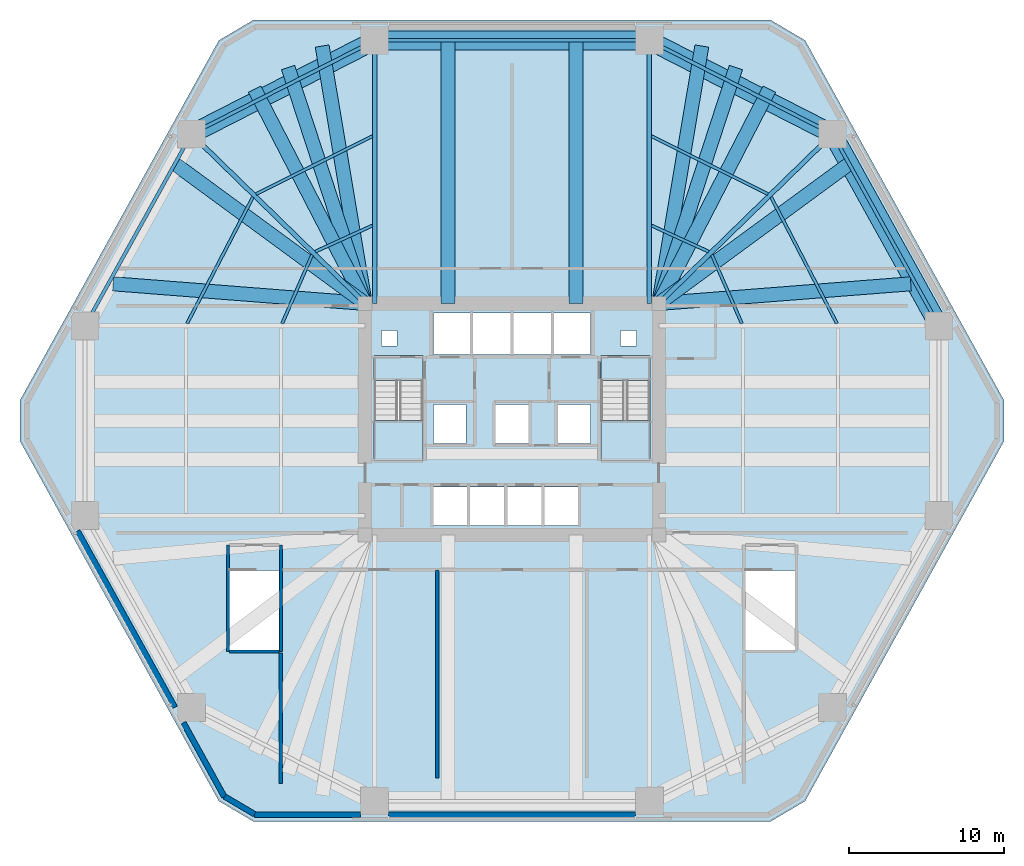
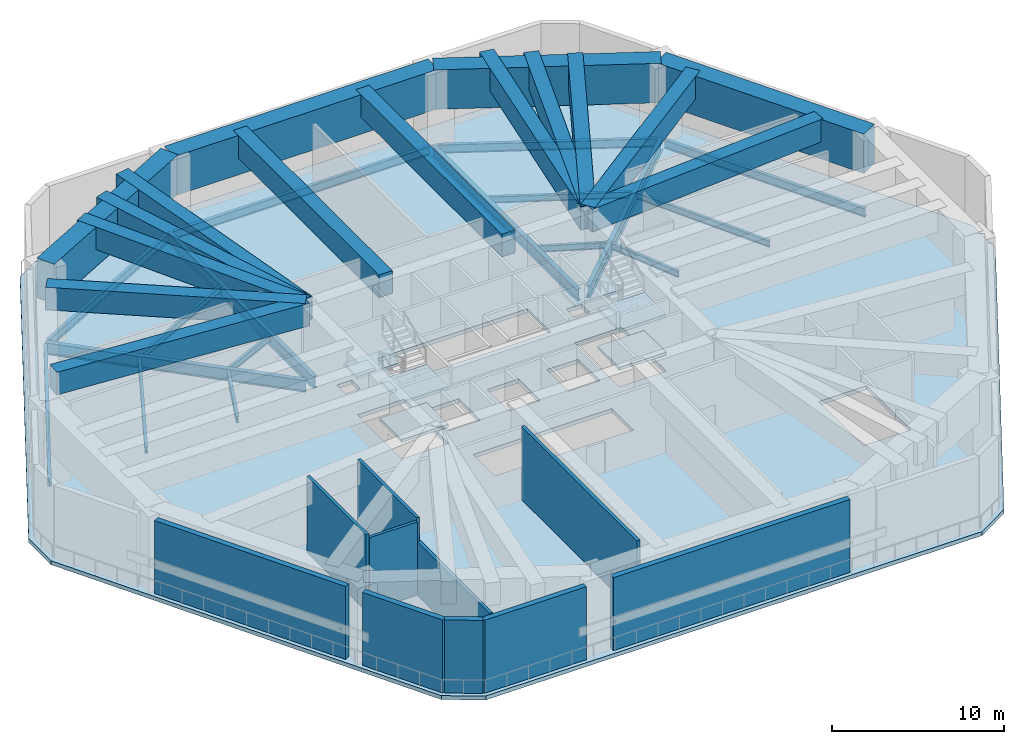
# One storey, part 2 of 12: 33 beams, 10 walls, 7 slabs, 2 elements without a shape of their own.
"""IFC4 building model written with IfcOpenShell, lengths in metres."""

import ifcopenshell
import ifcopenshell.guid

model = None  # the IFC model being written
_history = None  # IfcOwnerHistory: only IFC2X3 demands one
_inside = {}  # id of a spatial element -> (the spatial element, [elements in it])
_under = {}  # id of a project, library or spatial element -> (it, [spatial elements below it])
_declared = {}  # id of a project -> (the project, [libraries it declares])
_typed = {}  # id of a type object -> (the type object, [elements of that type])
_made_of = {}  # id of a material, layer set ... -> (it, [elements and type objects made of it])


def new_model(schema):
    """Start an empty IFC model of exactly this schema.

    Asked for "IFC4X3", IfcOpenShell would pick the latest addendum, in which some entities
    have other attributes; the version numbers below select the first issue.
    IFC2X3 requires an IfcOwnerHistory on every rooted entity: one is made here for all.
    """
    global model, _history
    if schema == "IFC4X3":
        model = ifcopenshell.file(schema_version=(4, 3, 0, 0))
    else:
        model = ifcopenshell.file(schema=schema)
    _inside.clear()
    _under.clear()
    _declared.clear()
    _typed.clear()
    _made_of.clear()
    _history = None
    if model.schema == "IFC2X3":
        org = make("IfcOrganization", Name="unknown")
        user = make(
            "IfcPersonAndOrganization",
            ThePerson=make("IfcPerson", FamilyName="unknown"),
            TheOrganization=org,
        )
        app = make(
            "IfcApplication",
            ApplicationDeveloper=org,
            Version="unknown",
            ApplicationFullName="unknown",
            ApplicationIdentifier="unknown",
        )
        _history = make(
            "IfcOwnerHistory",
            OwningUser=user,
            OwningApplication=app,
            ChangeAction="ADDED",
            CreationDate=0,
        )
    return model


def make(cls, **values):
    """One entity of the class cls with the attributes given. An attribute that is None is left unset."""
    return model.create_entity(
        cls, **{name: value for name, value in values.items() if value is not None}
    )


def rooted(cls, **values):
    """An entity with a GlobalId (a new one), such as an element, a storey or a relation."""
    return make(cls, GlobalId=ifcopenshell.guid.new(), OwnerHistory=_history, **values)


def si_unit(unit_type, name, prefix=None):
    """IfcSIUnit, for example si_unit("LENGTHUNIT", "METRE", prefix="MILLI")."""
    return make("IfcSIUnit", UnitType=unit_type, Prefix=prefix, Name=name)


def assignment(units):
    """IfcUnitAssignment: the units of a project."""
    return None if units is None else make("IfcUnitAssignment", Units=units)


def point(xyz):
    """IfcCartesianPoint."""
    return None if xyz is None else make("IfcCartesianPoint", Coordinates=xyz)


def direction(xyz):
    """IfcDirection."""
    return None if xyz is None else make("IfcDirection", DirectionRatios=xyz)


def frame(location, z_axis=None, x_axis=None):
    """IfcAxis2Placement3D, a coordinate frame: its origin and axes. An axis left out is left unset."""
    return make(
        "IfcAxis2Placement3D",
        Location=point(location),
        Axis=direction(z_axis),
        RefDirection=direction(x_axis),
    )


def frame_2d(location, x_axis=None):
    """IfcAxis2Placement2D, a coordinate frame in the plane: its origin and x axis."""
    return make(
        "IfcAxis2Placement2D", Location=point(location), RefDirection=direction(x_axis)
    )


def origin():
    """The frame at (0, 0, 0) with its axes left unset."""
    return frame((0.0, 0.0, 0.0))


def origin_2d():
    """The frame at (0, 0) in the plane with its x axis left unset."""
    return frame_2d((0.0, 0.0))


def place(relative_to, where):
    """IfcLocalPlacement: puts the frame where relative to a parent placement (None: the world)."""
    return make(
        "IfcLocalPlacement", PlacementRelTo=relative_to, RelativePlacement=where
    )


def context(
    kind, dimensions, precision=None, world=None, true_north=None, identifier=None
):
    """IfcGeometricRepresentationContext, for example the 3D "Model" context."""
    return make(
        "IfcGeometricRepresentationContext",
        ContextIdentifier=identifier,
        ContextType=kind,
        CoordinateSpaceDimension=dimensions,
        Precision=precision,
        WorldCoordinateSystem=world,
        TrueNorth=true_north,
    )


def subcontext(parent, identifier, kind, view, scale=None):
    """IfcGeometricRepresentationSubContext, for example "Body" below "Model"."""
    return make(
        "IfcGeometricRepresentationSubContext",
        ContextIdentifier=identifier,
        ContextType=kind,
        ParentContext=parent,
        TargetScale=scale,
        TargetView=view,
    )


def project(units=None, contexts=None):
    """IfcProject with its units and contexts."""
    return rooted(
        "IfcProject",
        Name="project",
        RepresentationContexts=contexts,
        UnitsInContext=assignment(units),
    )


def spatial(cls, under=None, at=None, **own):
    """A site, building, storey or space (cls), placed at a placement, below another one or the project."""
    s = rooted(cls, ObjectPlacement=at, **own)
    if under is not None:
        _under.setdefault(under.id(), (under, []))[1].append(s)
    return s


def polyline(points):
    """IfcPolyline through the points."""
    return make("IfcPolyline", Points=[point(p) for p in points])


def profile(cls, at=None, kind="AREA", **sizes):
    """A parametric profile (cls). Its sizes go by their IFC names, for example OverallWidth=200.0."""
    return make(cls, ProfileType=kind, Position=at, **sizes)


def rectangle(**sizes):
    """IfcRectangleProfileDef."""
    return profile("IfcRectangleProfileDef", **sizes)


def i_section(**sizes):
    """IfcIShapeProfileDef."""
    return profile("IfcIShapeProfileDef", **sizes)


def outline(outer, holes=None, kind="AREA"):
    """IfcArbitraryClosedProfileDef: a profile drawn as a closed curve; with holes, ...WithVoids."""
    if holes is None:
        return make("IfcArbitraryClosedProfileDef", ProfileType=kind, OuterCurve=outer)
    return make(
        "IfcArbitraryProfileDefWithVoids",
        ProfileType=kind,
        OuterCurve=outer,
        InnerCurves=holes,
    )


def extrude(swept, where, along, depth):
    """IfcExtrudedAreaSolid: the profile swept, set in the frame where, extruded along a direction by depth."""
    return make(
        "IfcExtrudedAreaSolid",
        SweptArea=swept,
        Position=where,
        ExtrudedDirection=direction(along),
        Depth=depth,
    )


def shape(context_of_items, identifier, shape_type, items):
    """IfcShapeRepresentation: the items that make up one representation, for example the "Body"."""
    return make(
        "IfcShapeRepresentation",
        ContextOfItems=context_of_items,
        RepresentationIdentifier=identifier,
        RepresentationType=shape_type,
        Items=items,
    )


def material(Name=None, Category=None):
    """IfcMaterial."""
    return make("IfcMaterial", Name=Name, Category=Category)


def layer(
    of_material, thickness, ventilated=None, Name=None, Category=None, Priority=None
):
    """IfcMaterialLayer: one layer of a wall or slab, of a material (None: an air gap)."""
    return make(
        "IfcMaterialLayer",
        Material=of_material,
        LayerThickness=thickness,
        IsVentilated=ventilated,
        Name=Name,
        Category=Category,
        Priority=Priority,
    )


def layer_set(layers, Name=None):
    """IfcMaterialLayerSet."""
    return make("IfcMaterialLayerSet", MaterialLayers=layers, LayerSetName=Name)


def material_profile(
    of_material, cross_section, Name=None, Category=None, Priority=None
):
    """IfcMaterialProfile: a cross section and its material."""
    return make(
        "IfcMaterialProfile",
        Name=Name,
        Material=of_material,
        Profile=cross_section,
        Priority=Priority,
        Category=Category,
    )


def profile_set(profiles, Name=None, composite=None):
    """IfcMaterialProfileSet."""
    return make(
        "IfcMaterialProfileSet",
        Name=Name,
        MaterialProfiles=profiles,
        CompositeProfile=composite,
    )


def made_of(thing, what):
    """Note that an element or type object is made of a material, layer set ...; save() writes the relation."""
    if what is not None:
        _made_of.setdefault(what.id(), (what, []))[1].append(thing)
    return thing


def type_object(cls, material=None, **own):
    """A type object (cls), such as IfcWallType, which elements share."""
    return made_of(rooted(cls, **own), material)


def element(
    cls,
    number,
    at=None,
    inside=None,
    cuts=None,
    type_object=None,
    material=None,
    context=None,
    identifier="Body",
    shape_type=None,
    held_by="IfcProductDefinitionShape",
    body=None,
    shapes=None,
    **own,
):
    """One element of the class cls, such as IfcWall. Its Tag is "e" and its number.

    at: its placement. inside: the storey or other place that contains it. cuts: it is an
    opening in that element (IfcRelVoidsElement). A single representation is given by context,
    identifier, shape_type and body (its items); several are given by shapes. held_by: the class
    of the entity that holds the representations. save() writes the other relations.
    """
    e = rooted(cls, Tag="e%d" % number, ObjectPlacement=at, **own)
    if body is not None:
        shapes = [shape(context, identifier, shape_type, body)]
    if shapes is not None:
        e.Representation = make(held_by, Representations=shapes)
    if inside is not None:
        _inside.setdefault(inside.id(), (inside, []))[1].append(e)
    if cuts is not None:
        rooted(
            "IfcRelVoidsElement", RelatingBuildingElement=cuts, RelatedOpeningElement=e
        )
    if type_object is not None:
        _typed.setdefault(type_object.id(), (type_object, []))[1].append(e)
    return made_of(e, material)


def aggregate(whole, parts):
    """IfcRelAggregates: a whole, such as a stair, and the parts it consists of."""
    return rooted("IfcRelAggregates", RelatingObject=whole, RelatedObjects=parts)


def save(model, path):
    """Write the relations noted so far, then the file.

    IfcRelAggregates (storeys below a building ...), IfcRelContainedInSpatialStructure (elements
    in a storey), IfcRelDefinesByType, IfcRelAssociatesMaterial and IfcRelDeclares: one each for
    every whole, place, type object, material and project.
    """
    for whole, parts in _under.values():
        aggregate(whole, parts)
    for where, things in _inside.values():
        rooted(
            "IfcRelContainedInSpatialStructure",
            RelatedElements=things,
            RelatingStructure=where,
        )
    for kind, things in _typed.values():
        rooted("IfcRelDefinesByType", RelatedObjects=things, RelatingType=kind)
    for what, things in _made_of.values():
        rooted("IfcRelAssociatesMaterial", RelatedObjects=things, RelatingMaterial=what)
    for by, libraries in _declared.values():
        rooted("IfcRelDeclares", RelatingContext=by, RelatedDefinitions=libraries)
    model.write(path)


model = new_model("IFC4")

# Units and contexts
model_context = context("Model", 3, precision=1e-05, world=origin(), true_north=direction((0.0, 1.0)))
body_context = subcontext(model_context, "Body", "Model", "MODEL_VIEW")
ifc_project = project(units=[si_unit("LENGTHUNIT", "METRE"), si_unit("AREAUNIT", "SQUARE_METRE"), si_unit("VOLUMEUNIT", "CUBIC_METRE"), si_unit("PLANEANGLEUNIT", "RADIAN"), si_unit("MASSUNIT", "GRAM", prefix="KILO")], contexts=[model_context])

# Site, building, storey
site_placement = place(None, origin())
site = spatial("IfcSite", under=ifc_project, at=site_placement, CompositionType="ELEMENT")
building_placement = place(site_placement, origin())
building = spatial("IfcBuilding", under=site, at=building_placement, Name="Cinnabar Lancet Tower", CompositionType="ELEMENT")
storey_placement = place(building_placement, frame((0.0, 0.0, 19.5)))
storey = spatial("IfcBuildingStorey", under=building, at=storey_placement, Name="L04", CompositionType="ELEMENT", Elevation=19.5)

# Beams
ifc_material_1 = material(Name="Concrete C70/85", Category="concrete")
ifc_material_profile_1 = material_profile(ifc_material_1, rectangle(XDim=0.89990234375, YDim=1.60009765625, at=origin_2d()), Name="RC-BG 900x1600")
ifc_profile_set_1 = profile_set([ifc_material_profile_1], Name="Concrete C70/85")
beam_type_1 = type_object("IfcBeamType", Name="STR-BM-BG-1600", PredefinedType="BEAM", material=ifc_profile_set_1)
beam_1_placement = place(storey_placement, frame((58.074951171875, 34.615966796875, 4.60009765625), z_axis=(-0.996970235657, -0.077783990729, 0.0), x_axis=(0.077783990729, -0.996970235657, 0.0)))
element("IfcBeam", 1, at=beam_1_placement, inside=storey, type_object=beam_type_1, Name="L04 Continuous Radial Transfer Girder 10", PredefinedType="BEAM", context=body_context, shape_type="SweptSolid", body=[
    extrude(rectangle(XDim=0.89990234375, YDim=1.60009765625, at=origin_2d()), origin(), (0.0, 0.0, 1.0), 16.274169921875),
])
beam_2_placement = place(storey_placement, frame((54.089111328125, 42.325927734375, 4.60009765625), z_axis=(-0.806387608174, -0.591387373372, 0.0), x_axis=(0.591387373372, -0.806387608174, 0.0)))
element("IfcBeam", 2, at=beam_2_placement, inside=storey, type_object=beam_type_1, Name="L04 Continuous Radial Transfer Girder 11", PredefinedType="BEAM", context=body_context, shape_type="SweptSolid", body=[
    extrude(rectangle(XDim=0.89990234375, YDim=1.60009765625, at=origin_2d()), origin(), (0.0, 0.0, 1.0), 15.177490234375),
])
beam_3_placement = place(storey_placement, frame((48.968017578125, 47.14697265625, 4.60009765625), z_axis=(-0.458487889517, -0.888700655545, 0.0), x_axis=(0.888700655545, -0.458487889517, 0.0)))
element("IfcBeam", 3, at=beam_3_placement, inside=storey, type_object=beam_type_1, Name="L04 Continuous Radial Transfer Girder 12", PredefinedType="BEAM", context=body_context, shape_type="SweptSolid", body=[
    extrude(rectangle(XDim=0.89990234375, YDim=1.60009765625, at=origin_2d()), origin(), (0.0, 0.0, 1.0), 15.524658203125),
])
beam_4_placement = place(storey_placement, frame((44.6201171875, 49.925048828125, 4.60009765625), z_axis=(-0.164834811584, -0.986321187489, 0.0), x_axis=(0.986321187489, -0.164834811584, 0.0)))
element("IfcBeam", 4, at=beam_4_placement, inside=storey, type_object=beam_type_1, Name="L04 Continuous Radial Transfer Girder 13", PredefinedType="BEAM", context=body_context, shape_type="SweptSolid", body=[
    extrude(rectangle(XDim=0.89990234375, YDim=1.60009765625, at=origin_2d()), origin(), (0.0, 0.0, 1.0), 16.804931640625),
])
for number, where, z_axis, x_axis, name in (
    (5, (36.52197265625, 50.282958984375, 4.60009765625), (0.0, -1.0, 0.0), (1.0, 0.0, 0.0), "L04 Continuous Radial Transfer Girder 14"),
    (6, (28.278076171875, 50.282958984375, 4.60009765625), (0.0, -1.0, 0.0), (1.0, 0.0, 0.0), "L04 Continuous Radial Transfer Girder 15"),
):
    element("IfcBeam", number, at=place(storey_placement, frame(where, z_axis=z_axis, x_axis=x_axis)), inside=storey, type_object=beam_type_1, Name=name, PredefinedType="BEAM", context=body_context, shape_type="SweptSolid", body=[
        extrude(rectangle(XDim=0.89990234375, YDim=1.60009765625, at=origin_2d()), origin(), (0.0, 0.0, 1.0), 16.932861328125),
    ])
beam_5_placement = place(storey_placement, frame((20.179931640625, 49.925048828125, 4.60009765625), z_axis=(0.164834811584, -0.986321187489, 0.0), x_axis=(0.986321187489, 0.164834811584, 0.0)))
element("IfcBeam", 7, at=beam_5_placement, inside=storey, type_object=beam_type_1, Name="L04 Continuous Radial Transfer Girder 16", PredefinedType="BEAM", context=body_context, shape_type="SweptSolid", body=[
    extrude(rectangle(XDim=0.89990234375, YDim=1.60009765625, at=origin_2d()), origin(), (0.0, 0.0, 1.0), 16.804931640625),
])
beam_6_placement = place(storey_placement, frame((15.83203125, 47.14697265625, 4.60009765625), z_axis=(0.458487889517, -0.888700655545, 0.0), x_axis=(0.888700655545, 0.458487889517, 0.0)))
element("IfcBeam", 8, at=beam_6_placement, inside=storey, type_object=beam_type_1, Name="L04 Continuous Radial Transfer Girder 17", PredefinedType="BEAM", context=body_context, shape_type="SweptSolid", body=[
    extrude(rectangle(XDim=0.89990234375, YDim=1.60009765625, at=origin_2d()), origin(), (0.0, 0.0, 1.0), 15.524658203125),
])
beam_7_placement = place(storey_placement, frame((10.7109375, 42.325927734375, 4.60009765625), z_axis=(0.806387608174, -0.591387373372, 0.0), x_axis=(0.591387373372, 0.806387608174, 0.0)))
element("IfcBeam", 9, at=beam_7_placement, inside=storey, type_object=beam_type_1, Name="L04 Continuous Radial Transfer Girder 18", PredefinedType="BEAM", context=body_context, shape_type="SweptSolid", body=[
    extrude(rectangle(XDim=0.89990234375, YDim=1.60009765625, at=origin_2d()), origin(), (0.0, 0.0, 1.0), 15.177490234375),
])
beam_8_placement = place(storey_placement, frame((6.72509765625, 34.615966796875, 4.60009765625), z_axis=(0.996970235657, -0.077783990729, 0.0), x_axis=(0.077783990729, 0.996970235657, 0.0)))
element("IfcBeam", 10, at=beam_8_placement, inside=storey, type_object=beam_type_1, Name="L04 Continuous Radial Transfer Girder 19", PredefinedType="BEAM", context=body_context, shape_type="SweptSolid", body=[
    extrude(rectangle(XDim=0.89990234375, YDim=1.60009765625, at=origin_2d()), origin(), (0.0, 0.0, 1.0), 16.274169921875),
])
for number, where, z_axis, x_axis, name in (
    (11, (46.81298828125, 48.537109375, 4.60009765625), (-0.310620449759, -0.950534026846, 0.0), (0.950534026846, -0.310620449759, 0.0), "L04 Corner Pilaster Radial Transfer Girder 4"),
    (12, (17.987060546875, 48.537109375, 4.60009765625), (0.310620449759, -0.950534026846, 0.0), (0.950534026846, 0.310620449759, 0.0), "L04 Corner Pilaster Radial Transfer Girder 5"),
):
    element("IfcBeam", number, at=place(storey_placement, frame(where, z_axis=z_axis, x_axis=x_axis)), inside=storey, type_object=beam_type_1, Name=name, PredefinedType="BEAM", context=body_context, shape_type="SweptSolid", body=[
        extrude(rectangle(XDim=0.89990234375, YDim=1.60009765625, at=origin_2d()), origin(), (0.0, 0.0, 1.0), 15.977294921875),
    ])
ifc_material_2 = material(Name="Structural steel S355", Category="steel")
ifc_material_profile_2 = material_profile(ifc_material_2, i_section(OverallWidth=0.1904296875, OverallDepth=0.45703125, WebThickness=0.009033203125, FlangeThickness=0.014404296875, FilletRadius=0.01025390625, at=origin_2d()), Name="UKB 457x191x74")
ifc_profile_set_2 = profile_set([ifc_material_profile_2], Name="Structural steel S355")
beam_type_2 = type_object("IfcBeamType", Name="STR-BM-JST-457", PredefinedType="JOIST", material=ifc_profile_set_2)
beam_9_placement = place(storey_placement, frame((53.320068359375, 32.054931640625, -0.509033203125), z_axis=(-0.461671899825, 0.887050763436, 0.0), x_axis=(-0.887050763436, -0.461671899825, 0.0)))
element("IfcBeam", 13, at=beam_9_placement, inside=storey, type_object=beam_type_2, Name="L04 Secondary Floor Joist 3", PredefinedType="JOIST", context=body_context, shape_type="SweptSolid", body=[
    extrude(i_section(OverallWidth=0.1904296875, OverallDepth=0.45703125, WebThickness=0.009033203125, FlangeThickness=0.014404296875, FilletRadius=0.01025390625, at=origin_2d()), origin(), (0.0, 0.0, 1.0), 9.175537109375),
])
beam_10_placement = place(storey_placement, frame((47.197998046875, 32.054931640625, -0.509033203125), z_axis=(-0.399408778183, 0.916772942397, 0.0), x_axis=(-0.916772942397, -0.399408778183, 0.0)))
element("IfcBeam", 14, at=beam_10_placement, inside=storey, type_object=beam_type_2, Name="L04 Secondary Floor Joist 4", PredefinedType="JOIST", context=body_context, shape_type="SweptSolid", body=[
    extrude(i_section(OverallWidth=0.1904296875, OverallDepth=0.45703125, WebThickness=0.009033203125, FlangeThickness=0.014404296875, FilletRadius=0.01025390625, at=origin_2d()), origin(), (0.0, 0.0, 1.0), 4.82470703125),
])
beam_11_placement = place(storey_placement, frame((48.8740234375, 40.39892578125, -0.509033203125), z_axis=(-0.895662943803, 0.444733505706, 0.0), x_axis=(-0.444733505706, -0.895662943803, 0.0)))
element("IfcBeam", 15, at=beam_11_placement, inside=storey, type_object=beam_type_2, Name="L04 Secondary Floor Joist 5", PredefinedType="JOIST", context=body_context, shape_type="SweptSolid", body=[
    extrude(i_section(OverallWidth=0.1904296875, OverallDepth=0.45703125, WebThickness=0.009033203125, FlangeThickness=0.014404296875, FilletRadius=0.01025390625, at=origin_2d()), origin(), (0.0, 0.0, 1.0), 8.353515625),
])
beam_12_placement = place(storey_placement, frame((45.06494140625, 36.68701171875, -0.509033203125), z_axis=(-0.909754543135, 0.415146565981, 0.0), x_axis=(-0.415146565981, -0.909754543135, 0.0)))
element("IfcBeam", 16, at=beam_12_placement, inside=storey, type_object=beam_type_2, Name="L04 Secondary Floor Joist 6", PredefinedType="JOIST", context=body_context, shape_type="SweptSolid", body=[
    extrude(i_section(OverallWidth=0.1904296875, OverallDepth=0.45703125, WebThickness=0.009033203125, FlangeThickness=0.014404296875, FilletRadius=0.01025390625, at=origin_2d()), origin(), (0.0, 0.0, 1.0), 4.037109375),
])
beam_13_placement = place(storey_placement, frame((23.407958984375, 44.114013671875, -0.509033203125), z_axis=(-0.895662943803, -0.444733505706, 0.0), x_axis=(0.444733505706, -0.895662943803, 0.0)))
element("IfcBeam", 17, at=beam_13_placement, inside=storey, type_object=beam_type_2, Name="L04 Secondary Floor Joist 7", PredefinedType="JOIST", context=body_context, shape_type="SweptSolid", body=[
    extrude(i_section(OverallWidth=0.1904296875, OverallDepth=0.45703125, WebThickness=0.009033203125, FlangeThickness=0.014404296875, FilletRadius=0.01025390625, at=origin_2d()), origin(), (0.0, 0.0, 1.0), 8.353515625),
])
beam_14_placement = place(storey_placement, frame((23.407958984375, 38.363037109375, -0.509033203125), z_axis=(-0.909754543135, -0.415146565981, 0.0), x_axis=(0.415146565981, -0.909754543135, 0.0)))
element("IfcBeam", 18, at=beam_14_placement, inside=storey, type_object=beam_type_2, Name="L04 Secondary Floor Joist 8", PredefinedType="JOIST", context=body_context, shape_type="SweptSolid", body=[
    extrude(i_section(OverallWidth=0.1904296875, OverallDepth=0.45703125, WebThickness=0.009033203125, FlangeThickness=0.014404296875, FilletRadius=0.01025390625, at=origin_2d()), origin(), (0.0, 0.0, 1.0), 4.037109375),
])
beam_15_placement = place(storey_placement, frame((15.716064453125, 40.194091796875, -0.509033203125), z_axis=(-0.461671899825, -0.887050763436, 0.0), x_axis=(0.887050763436, -0.461671899825, 0.0)))
element("IfcBeam", 19, at=beam_15_placement, inside=storey, type_object=beam_type_2, Name="L04 Secondary Floor Joist 9", PredefinedType="JOIST", context=body_context, shape_type="SweptSolid", body=[
    extrude(i_section(OverallWidth=0.1904296875, OverallDepth=0.45703125, WebThickness=0.009033203125, FlangeThickness=0.014404296875, FilletRadius=0.01025390625, at=origin_2d()), origin(), (0.0, 0.0, 1.0), 9.175537109375),
])
beam_16_placement = place(storey_placement, frame((19.529052734375, 36.47802734375, -0.509033203125), z_axis=(-0.399408778183, -0.916772942397, 0.0), x_axis=(0.916772942397, -0.399408778183, 0.0)))
element("IfcBeam", 20, at=beam_16_placement, inside=storey, type_object=beam_type_2, Name="L04 Secondary Floor Joist 10", PredefinedType="JOIST", context=body_context, shape_type="SweptSolid", body=[
    extrude(i_section(OverallWidth=0.1904296875, OverallDepth=0.45703125, WebThickness=0.009033203125, FlangeThickness=0.014404296875, FilletRadius=0.01025390625, at=origin_2d()), origin(), (0.0, 0.0, 1.0), 4.82470703125),
])
ifc_material_3 = material(Name="Structural steel S355", Category="steel")
ifc_material_profile_3 = material_profile(ifc_material_3, i_section(OverallWidth=0.228271484375, OverallDepth=0.607666015625, WebThickness=0.010986328125, FlangeThickness=0.017333984375, FilletRadius=0.0126953125, at=origin_2d()), Name="UKB 610x229x113")
ifc_profile_set_3 = profile_set([ifc_material_profile_3], Name="Structural steel S355")
beam_type_3 = type_object("IfcBeamType", Name="STR-BM-SPN-610", PredefinedType="SPANDREL", material=ifc_profile_set_3)
beam_17_placement = place(storey_placement, frame((59.77001953125, 32.126953125, -0.583984375), z_axis=(-0.485037056876, 0.874493598294, 0.0), x_axis=(-0.874493598294, -0.485037056876, 0.0)))
element("IfcBeam", 21, at=beam_17_placement, inside=storey, type_object=beam_type_3, Name="L04 Perimeter Spandrel 5", PredefinedType="SPANDREL", context=body_context, shape_type="SweptSolid", body=[
    extrude(i_section(OverallWidth=0.228271484375, OverallDepth=0.607666015625, WebThickness=0.010986328125, FlangeThickness=0.017333984375, FilletRadius=0.0126953125, at=origin_2d()), origin(), (0.0, 0.0, 1.0), 13.619384765625),
])
beam_18_placement = place(storey_placement, frame((52.820068359375, 44.3701171875, -0.583984375), z_axis=(-0.890540557794, 0.454903852396, 0.0), x_axis=(-0.454903852396, -0.890540557794, 0.0)))
element("IfcBeam", 22, at=beam_18_placement, inside=storey, type_object=beam_type_3, Name="L04 Perimeter Spandrel 6", PredefinedType="SPANDREL", context=body_context, shape_type="SweptSolid", body=[
    extrude(i_section(OverallWidth=0.228271484375, OverallDepth=0.607666015625, WebThickness=0.010986328125, FlangeThickness=0.017333984375, FilletRadius=0.0126953125, at=origin_2d()), origin(), (0.0, 0.0, 1.0), 12.747314453125),
])
beam_19_placement = place(storey_placement, frame((40.9951171875, 50.282958984375, -0.583984375), z_axis=(-1.0, 0.0, 0.0), x_axis=(0.0, -1.0, 0.0)))
element("IfcBeam", 23, at=beam_19_placement, inside=storey, type_object=beam_type_3, Name="L04 Perimeter Spandrel 7", PredefinedType="SPANDREL", context=body_context, shape_type="SweptSolid", body=[
    extrude(i_section(OverallWidth=0.228271484375, OverallDepth=0.607666015625, WebThickness=0.010986328125, FlangeThickness=0.017333984375, FilletRadius=0.0126953125, at=origin_2d()), origin(), (0.0, 0.0, 1.0), 17.190185546875),
])
beam_20_placement = place(storey_placement, frame((23.33203125, 50.1689453125, -0.583984375), z_axis=(-0.890540557794, -0.454903852396, 0.0), x_axis=(0.454903852396, -0.890540557794, 0.0)))
element("IfcBeam", 24, at=beam_20_placement, inside=storey, type_object=beam_type_3, Name="L04 Perimeter Spandrel 8", PredefinedType="SPANDREL", context=body_context, shape_type="SweptSolid", body=[
    extrude(i_section(OverallWidth=0.228271484375, OverallDepth=0.607666015625, WebThickness=0.010986328125, FlangeThickness=0.017333984375, FilletRadius=0.0126953125, at=origin_2d()), origin(), (0.0, 0.0, 1.0), 12.747314453125),
])
beam_21_placement = place(storey_placement, frame((11.635986328125, 44.037109375, -0.583984375), z_axis=(-0.485037056876, -0.874493598294, 0.0), x_axis=(0.874493598294, -0.485037056876, 0.0)))
element("IfcBeam", 25, at=beam_21_placement, inside=storey, type_object=beam_type_3, Name="L04 Perimeter Spandrel 9", PredefinedType="SPANDREL", context=body_context, shape_type="SweptSolid", body=[
    extrude(i_section(OverallWidth=0.228271484375, OverallDepth=0.607666015625, WebThickness=0.010986328125, FlangeThickness=0.017333984375, FilletRadius=0.0126953125, at=origin_2d()), origin(), (0.0, 0.0, 1.0), 13.619384765625),
])
ifc_material_4 = material(Name="Concrete C80/95", Category="concrete")
ifc_material_profile_4 = material_profile(ifc_material_4, rectangle(XDim=1.199951171875, YDim=2.800048828125, at=origin_2d()), Name="RC-TG 1200x2800")
ifc_profile_set_4 = profile_set([ifc_material_profile_4], Name="Concrete C80/95")
beam_type_4 = type_object("IfcBeamType", Name="STR-BM-TG-2800", PredefinedType="BEAM", material=ifc_profile_set_4)
beam_22_placement = place(storey_placement, frame((59.89111328125, 31.907958984375, 4.0), z_axis=(-0.484996853837, 0.874515895664, 0.0), x_axis=(-0.874515895664, -0.484996853837, 0.0)))
element("IfcBeam", 26, at=beam_22_placement, inside=storey, type_object=beam_type_4, Name="L04 Perimeter Composite Transfer Girder 5", PredefinedType="BEAM", context=body_context, shape_type="SweptSolid", body=[
    extrude(rectangle(XDim=1.199951171875, YDim=2.800048828125, at=origin_2d()), origin(), (0.0, 0.0, 1.0), 14.119873046875),
])
beam_23_placement = place(storey_placement, frame((53.04296875, 44.256103515625, 4.0), z_axis=(-0.890531248596, 0.454922076046, 0.0), x_axis=(-0.454922076046, -0.890531248596, 0.0)))
element("IfcBeam", 27, at=beam_23_placement, inside=storey, type_object=beam_type_4, Name="L04 Perimeter Composite Transfer Girder 6", PredefinedType="BEAM", context=body_context, shape_type="SweptSolid", body=[
    extrude(rectangle(XDim=1.199951171875, YDim=2.800048828125, at=origin_2d()), origin(), (0.0, 0.0, 1.0), 13.248046875),
])
beam_24_placement = place(storey_placement, frame((41.2451171875, 50.282958984375, 4.0), z_axis=(-1.0, 0.0, 0.0), x_axis=(0.0, -1.0, 0.0)))
element("IfcBeam", 28, at=beam_24_placement, inside=storey, type_object=beam_type_4, Name="L04 Perimeter Composite Transfer Girder 7", PredefinedType="BEAM", context=body_context, shape_type="SweptSolid", body=[
    extrude(rectangle(XDim=1.199951171875, YDim=2.800048828125, at=origin_2d()), origin(), (0.0, 0.0, 1.0), 17.690185546875),
])
beam_25_placement = place(storey_placement, frame((23.554931640625, 50.282958984375, 4.0), z_axis=(-0.890531248596, -0.454922076046, 0.0), x_axis=(0.454922076046, -0.890531248596, 0.0)))
element("IfcBeam", 29, at=beam_25_placement, inside=storey, type_object=beam_type_4, Name="L04 Perimeter Composite Transfer Girder 8", PredefinedType="BEAM", context=body_context, shape_type="SweptSolid", body=[
    extrude(rectangle(XDim=1.199951171875, YDim=2.800048828125, at=origin_2d()), origin(), (0.0, 0.0, 1.0), 13.248046875),
])
ifc_material_5 = material(Name="Structural steel S355", Category="steel")
ifc_material_profile_5 = material_profile(ifc_material_5, i_section(OverallWidth=0.293701171875, OverallDepth=0.850830078125, WebThickness=0.01611328125, FlangeThickness=0.02685546875, FilletRadius=0.017822265625, at=origin_2d()), Name="UKB 838x292x226")
ifc_profile_set_5 = profile_set([ifc_material_profile_5], Name="Structural steel S355")
beam_type_5 = type_object("IfcBeamType", Name="STR-BM-UKB838-226", PredefinedType="BEAM", material=ifc_profile_set_5)
for number, where, z_axis, x_axis, name in (
    (30, (53.04296875, 44.256103515625, -0.705078125), (-0.716225383515, -0.697869042163, 0.0), (0.697869042163, -0.716225383515, 0.0), "L04 Corner Collector Girder 3"),
    (31, (11.757080078125, 44.256103515625, -0.705078125), (0.716225383515, -0.697869042163, 0.0), (0.697869042163, 0.716225383515, 0.0), "L04 Corner Collector Girder 4"),
):
    element("IfcBeam", number, at=place(storey_placement, frame(where, z_axis=z_axis, x_axis=x_axis)), inside=storey, type_object=beam_type_5, Name=name, PredefinedType="BEAM", context=body_context, shape_type="SweptSolid", body=[
        extrude(i_section(OverallWidth=0.293701171875, OverallDepth=0.850830078125, WebThickness=0.01611328125, FlangeThickness=0.02685546875, FilletRadius=0.017822265625, at=origin_2d()), origin(), (0.0, 0.0, 1.0), 15.627685546875),
    ])
for number, where, z_axis, x_axis, name in (
    (32, (41.2451171875, 50.282958984375, -0.705078125), (0.0, -1.0, 0.0), (1.0, 0.0, 0.0), "L04 Primary Floor Girder 7"),
    (33, (23.554931640625, 50.282958984375, -0.705078125), (0.0, -1.0, 0.0), (1.0, 0.0, 0.0), "L04 Primary Floor Girder 8"),
):
    element("IfcBeam", number, at=place(storey_placement, frame(where, z_axis=z_axis, x_axis=x_axis)), inside=storey, type_object=beam_type_5, Name=name, PredefinedType="BEAM", context=body_context, shape_type="SweptSolid", body=[
        extrude(i_section(OverallWidth=0.293701171875, OverallDepth=0.850830078125, WebThickness=0.01611328125, FlangeThickness=0.02685546875, FilletRadius=0.017822265625, at=origin_2d()), origin(), (0.0, 0.0, 1.0), 16.932861328125),
    ])

# Stair, slabs
ifc_material_6 = material(Name="Concrete C40/50", Category="concrete")
stair_type = type_object("IfcStairType", Name="ST-CORE", PredefinedType="HALF_TURN_STAIR", material=ifc_material_6)
stair_1_placement = place(storey_placement, origin())
stair_1 = element("IfcStair", 34, at=stair_1_placement, inside=storey, type_object=stair_type, Name="L04 ST-1", PredefinedType="HALF_TURN_STAIR")
ifc_material_7 = material(Name="Concrete C40/50", Category="concrete")
ifc_layer_1 = layer(ifc_material_7, 0.199951171875)
ifc_layer_set_1 = layer_set([ifc_layer_1], Name="Concrete C40/50")
slab_type_1 = type_object("IfcSlabType", Name="LANDING-CORE", PredefinedType="LANDING", material=ifc_layer_set_1)
slab_1_placement = place(storey_placement, frame((0.0, 0.0, 1.14990234375)))
slab_1 = element("IfcSlab", 35, at=slab_1_placement, type_object=slab_type_1, Name="ST-1 landing 1", PredefinedType="LANDING", context=body_context, shape_type="SweptSolid", body=[
    extrude(outline(polyline([(23.52490234375, 25.80029296875), (23.52490234375, 23.25), (26.675048828125, 23.25), (26.675048828125, 25.80029296875), (23.52490234375, 25.80029296875)])), origin(), (0.0, 0.0, 1.0), 0.2001953125),
])
slab_2_placement = place(storey_placement, frame((0.0, 0.0, 2.5)))
slab_2 = element("IfcSlab", 36, at=slab_2_placement, type_object=slab_type_1, Name="ST-1 landing 2", PredefinedType="LANDING", context=body_context, shape_type="SweptSolid", body=[
    extrude(outline(polyline([(23.52490234375, 30.0), (23.52490234375, 28.39990234375), (26.675048828125, 28.39990234375), (26.675048828125, 30.0), (23.52490234375, 30.0)])), origin(), (0.0, 0.0, 1.0), 0.199951171875),
])
slab_3_placement = place(storey_placement, frame((0.0, 0.0, 3.85009765625)))
slab_3 = element("IfcSlab", 37, at=slab_3_placement, type_object=slab_type_1, Name="ST-1 landing 3", PredefinedType="LANDING", context=body_context, shape_type="SweptSolid", body=[
    extrude(outline(polyline([(23.52490234375, 25.80029296875), (23.52490234375, 23.25), (26.675048828125, 23.25), (26.675048828125, 25.80029296875), (23.52490234375, 25.80029296875)])), origin(), (0.0, 0.0, 1.0), 0.199951171875),
])
aggregate(stair_1, [slab_1, slab_2, slab_3])

stair_2_placement = place(storey_placement, origin())
stair_2 = element("IfcStair", 38, at=stair_2_placement, inside=storey, type_object=stair_type, Name="L04 ST-2", PredefinedType="HALF_TURN_STAIR")
slab_4_placement = place(storey_placement, frame((0.0, 0.0, 1.14990234375)))
slab_4 = element("IfcSlab", 39, at=slab_4_placement, type_object=slab_type_1, Name="ST-2 landing 1", PredefinedType="LANDING", context=body_context, shape_type="SweptSolid", body=[
    extrude(outline(polyline([(38.125, 25.80029296875), (38.125, 23.25), (41.27490234375, 23.25), (41.27490234375, 25.80029296875), (38.125, 25.80029296875)])), origin(), (0.0, 0.0, 1.0), 0.2001953125),
])
slab_5_placement = place(storey_placement, frame((0.0, 0.0, 2.5)))
slab_5 = element("IfcSlab", 40, at=slab_5_placement, type_object=slab_type_1, Name="ST-2 landing 2", PredefinedType="LANDING", context=body_context, shape_type="SweptSolid", body=[
    extrude(outline(polyline([(38.125, 30.0), (38.125, 28.39990234375), (41.27490234375, 28.39990234375), (41.27490234375, 30.0), (38.125, 30.0)])), origin(), (0.0, 0.0, 1.0), 0.199951171875),
])
slab_6_placement = place(storey_placement, frame((0.0, 0.0, 3.85009765625)))
slab_6 = element("IfcSlab", 41, at=slab_6_placement, type_object=slab_type_1, Name="ST-2 landing 3", PredefinedType="LANDING", context=body_context, shape_type="SweptSolid", body=[
    extrude(outline(polyline([(38.125, 25.80029296875), (38.125, 23.25), (41.27490234375, 23.25), (41.27490234375, 25.80029296875), (38.125, 25.80029296875)])), origin(), (0.0, 0.0, 1.0), 0.199951171875),
])
aggregate(stair_2, [slab_4, slab_5, slab_6])

# Slab
ifc_material_8 = material(Name="Concrete C45/55", Category="concrete")
ifc_layer_2 = layer(ifc_material_8, 0.280029296875)
ifc_layer_set_2 = layer_set([ifc_layer_2], Name="Concrete C45/55")
slab_type_2 = type_object("IfcSlabType", Name="STR-SLB-FLR-280", PredefinedType="FLOOR", material=ifc_layer_set_2)
slab_7_placement = place(storey_placement, frame((0.0, 0.0, -0.280029296875)))
element("IfcSlab", 42, at=slab_7_placement, inside=storey, type_object=slab_type_2, Name="L04 Structural Floor Slab", PredefinedType="FLOOR", context=body_context, shape_type="SweptSolid", body=[
    extrude(outline(polyline([(13.531005859375, 1.31298828125), (15.756103515625, 0.0), (49.0439453125, 0.0), (51.26904296875, 1.31298828125), (64.074951171875, 24.487060546875), (64.074951171875, 27.113037109375), (51.26904296875, 50.287109375), (49.0439453125, 51.60009765625), (15.756103515625, 51.60009765625), (13.531005859375, 50.287109375), (0.72509765625, 27.113037109375), (0.72509765625, 24.487060546875), (13.531005859375, 1.31298828125)]), holes=[polyline([(23.52490234375, 23.25), (26.675048828125, 23.25), (26.675048828125, 28.3994140625), (23.52490234375, 28.3994140625), (23.52490234375, 23.25)]), polyline([(38.125, 23.25), (41.27490234375, 23.25), (41.27490234375, 28.3994140625), (38.125, 28.3994140625), (38.125, 23.25)]), polyline([(14.22509765625, 11.0), (17.4150390625, 11.0), (17.4150390625, 16.1494140625), (14.22509765625, 16.1494140625), (14.22509765625, 11.0)]), polyline([(47.425048828125, 11.0), (50.614990234375, 11.0), (50.614990234375, 16.1494140625), (47.425048828125, 16.1494140625), (47.425048828125, 11.0)]), polyline([(27.35009765625, 30.050048828125), (37.449951171875, 30.050048828125), (37.449951171875, 32.75), (27.35009765625, 32.75), (27.35009765625, 30.050048828125)]), polyline([(27.35009765625, 19.050048828125), (36.64990234375, 19.050048828125), (36.64990234375, 21.550048828125), (27.35009765625, 21.550048828125), (27.35009765625, 19.050048828125)]), polyline([(27.35009765625, 24.35009765625), (29.449951171875, 24.35009765625), (29.449951171875, 26.85009765625), (27.35009765625, 26.85009765625), (27.35009765625, 24.35009765625)]), polyline([(35.35009765625, 24.35009765625), (37.449951171875, 24.35009765625), (37.449951171875, 26.85009765625), (35.35009765625, 26.85009765625), (35.35009765625, 24.35009765625)]), polyline([(31.35009765625, 24.35009765625), (33.449951171875, 24.35009765625), (33.449951171875, 26.85009765625), (31.35009765625, 26.85009765625), (31.35009765625, 24.35009765625)]), polyline([(24.0, 30.60009765625), (25.0, 30.60009765625), (25.0, 31.60009765625), (24.0, 31.60009765625), (24.0, 30.60009765625)]), polyline([(39.39990234375, 30.60009765625), (40.39990234375, 30.60009765625), (40.39990234375, 31.60009765625), (39.39990234375, 31.60009765625), (39.39990234375, 30.60009765625)])]), origin(), (0.0, 0.0, 1.0), 0.280029296875),
])

# Walls
ifc_material_9 = material(Name="Acoustic masonry plant room wall", Category="masonry")
ifc_layer_3 = layer(ifc_material_9, 0.219970703125)
ifc_layer_set_3 = layer_set([ifc_layer_3], Name="Acoustic masonry plant room wall")
wall_type_1 = type_object("IfcWallType", Name="ARC-WL-PLANT-220", PredefinedType="PARTITIONING", material=ifc_layer_set_3)
wall_1_placement = place(storey_placement, frame((17.52001953125, 2.449951171875, 0.0), z_axis=(0.0, 0.0, 1.0), x_axis=(0.0, 1.0, 0.0)))
element("IfcWall", 43, at=wall_1_placement, inside=storey, type_object=wall_type_1, Name="PW-L04-SPLW", PredefinedType="PARTITIONING", context=body_context, shape_type="SweptSolid", body=[
    extrude(rectangle(XDim=8.39501953125, YDim=0.219970703125, at=frame_2d((4.197509765625, 0.0))), origin(), (0.0, 0.0, 1.0), 3.7900390625),
])
wall_2_placement = place(storey_placement, frame((27.60009765625, 2.800048828125, 0.0), z_axis=(0.0, 0.0, 1.0), x_axis=(0.0, 1.0, 0.0)))
element("IfcWall", 44, at=wall_2_placement, inside=storey, type_object=wall_type_1, Name="PW-L04-SDIV-27", PredefinedType="PARTITIONING", context=body_context, shape_type="SweptSolid", body=[
    extrude(rectangle(XDim=13.39990234375, YDim=0.219970703125, at=frame_2d((6.699951171875, 0.0))), origin(), (0.0, 0.0, 1.0), 5.179931640625),
])
ifc_material_10 = material(Name="Autoclaved aerated concrete blockwork", Category="masonry")
ifc_layer_4 = layer(ifc_material_10, 0.199951171875)
ifc_layer_set_4 = layer_set([ifc_layer_4], Name="Autoclaved aerated concrete blockwork")
wall_type_2 = type_object("IfcWallType", Name="ARC-WL-SHAFT-200", PredefinedType="PLUMBINGWALL", material=ifc_layer_set_4)
wall_3_placement = place(storey_placement, frame((14.22509765625, 10.949951171875, 0.0), z_axis=(0.0, 0.0, 1.0), x_axis=(1.0, 0.0, 0.0)))
element("IfcWall", 45, at=wall_3_placement, inside=storey, type_object=wall_type_2, Name="PW-ST3S-L04", PredefinedType="PLUMBINGWALL", context=body_context, shape_type="SweptSolid", body=[
    extrude(rectangle(XDim=3.18994140625, YDim=0.199951171875, at=frame_2d((1.594970703125, 0.0))), origin(), (0.0, 0.0, 1.0), 5.179931640625),
])
ifc_material_11 = material(Name="Dark charcoal engineering brick", Category="masonry")
ifc_layer_5 = layer(ifc_material_11, 0.360107421875)
ifc_layer_set_5 = layer_set([ifc_layer_5], Name="Dark charcoal engineering brick")
wall_type_3 = type_object("IfcWallType", Name="ENV-WL-BRK-CHR-360", PredefinedType="STANDARD", material=ifc_layer_set_5)
wall_4_placement = place(storey_placement, frame((13.902099609375, 1.60498046875, 0.0), z_axis=(0.0, 0.0, 1.0), x_axis=(0.861219188779, -0.50823371482, 0.0)))
element("IfcWall", 46, at=wall_4_placement, inside=storey, type_object=wall_type_3, Name="L04 Chamfered Corner Brick Pier 1.1", PredefinedType="STANDARD", context=body_context, shape_type="SweptSolid", body=[
    extrude(rectangle(XDim=2.240966796875, YDim=0.360107421875, at=frame_2d((1.12060546875, 0.0))), origin(), (0.0, 0.0, 1.0), 5.179931640625),
])
wall_5_placement = place(storey_placement, frame((15.826904296875, 0.43994140625, 0.0), z_axis=(0.0, 0.0, 1.0), x_axis=(1.0, 0.0, 0.0)))
element("IfcWall", 47, at=wall_5_placement, inside=storey, type_object=wall_type_3, Name="L04 Face 1 Masonry Bay Wall 1", PredefinedType="STANDARD", context=body_context, shape_type="SweptSolid", body=[
    extrude(rectangle(XDim=6.823974609375, YDim=0.360107421875, at=frame_2d((3.412109375, 0.0))), origin(), (0.0, 0.0, 1.0), 5.179931640625),
])
wall_6_placement = place(storey_placement, frame((24.458984375, 0.43994140625, 0.0), z_axis=(0.0, 0.0, 1.0), x_axis=(1.0, 0.0, 0.0)))
element("IfcWall", 48, at=wall_6_placement, inside=storey, type_object=wall_type_3, Name="L04 Face 1 Masonry Bay Wall 2", PredefinedType="STANDARD", context=body_context, shape_type="SweptSolid", body=[
    extrude(rectangle(XDim=15.882080078125, YDim=0.360107421875, at=frame_2d((7.94091796875, 0.0))), origin(), (0.0, 0.0, 1.0), 5.179931640625),
])
wall_7_placement = place(storey_placement, frame((4.425048828125, 18.700927734375, 0.0), z_axis=(0.0, 0.0, 1.0), x_axis=(0.483641700598, -0.87526607694, 0.0)))
element("IfcWall", 49, at=wall_7_placement, inside=storey, type_object=wall_type_3, Name="L04 Face 6 Masonry Bay Wall 2", PredefinedType="STANDARD", context=body_context, shape_type="SweptSolid", body=[
    extrude(rectangle(XDim=12.96630859375, YDim=0.360107421875, at=frame_2d((6.483154296875, 0.0))), origin(), (0.0, 0.0, 1.0), 5.179931640625),
])
wall_8_placement = place(storey_placement, frame((11.2490234375, 6.35302734375, 0.0), z_axis=(0.0, 0.0, 1.0), x_axis=(0.483642718265, -0.875265514612, 0.0)))
element("IfcWall", 50, at=wall_8_placement, inside=storey, type_object=wall_type_3, Name="L04 Face 6 Masonry Bay Wall 3", PredefinedType="STANDARD", context=body_context, shape_type="SweptSolid", body=[
    extrude(rectangle(XDim=5.4443359375, YDim=0.360107421875, at=frame_2d((2.72216796875, 0.0))), origin(), (0.0, 0.0, 1.0), 5.179931640625),
])
ifc_material_12 = material(Name="Concrete C50/60", Category="concrete")
ifc_layer_6 = layer(ifc_material_12, 0.199951171875)
ifc_layer_set_6 = layer_set([ifc_layer_6], Name="Concrete C50/60")
wall_type_4 = type_object("IfcWallType", Name="STR-WL-STAIR-200", PredefinedType="SHEAR", material=ifc_layer_set_6)
for number, where, z_axis, x_axis, name in (
    (51, (14.1201171875, 10.949951171875, 0.0), (0.0, 0.0, 1.0), (0.0, 1.0, 0.0), "L04 Stair ST3 West Structural Wall"),
    (52, (17.52001953125, 10.949951171875, 0.0), (0.0, 0.0, 1.0), (0.0, 1.0, 0.0), "L04 Stair ST3 East Structural Wall"),
):
    element("IfcWall", number, at=place(storey_placement, frame(where, z_axis=z_axis, x_axis=x_axis)), inside=storey, type_object=wall_type_4, Name=name, PredefinedType="SHEAR", context=body_context, shape_type="SweptSolid", body=[
        extrude(rectangle(XDim=6.85009765625, YDim=0.199951171875, at=frame_2d((3.425048828125, 0.0))), origin(), (0.0, 0.0, 1.0), 5.39990234375),
    ])

save(model, "model.ifc")
